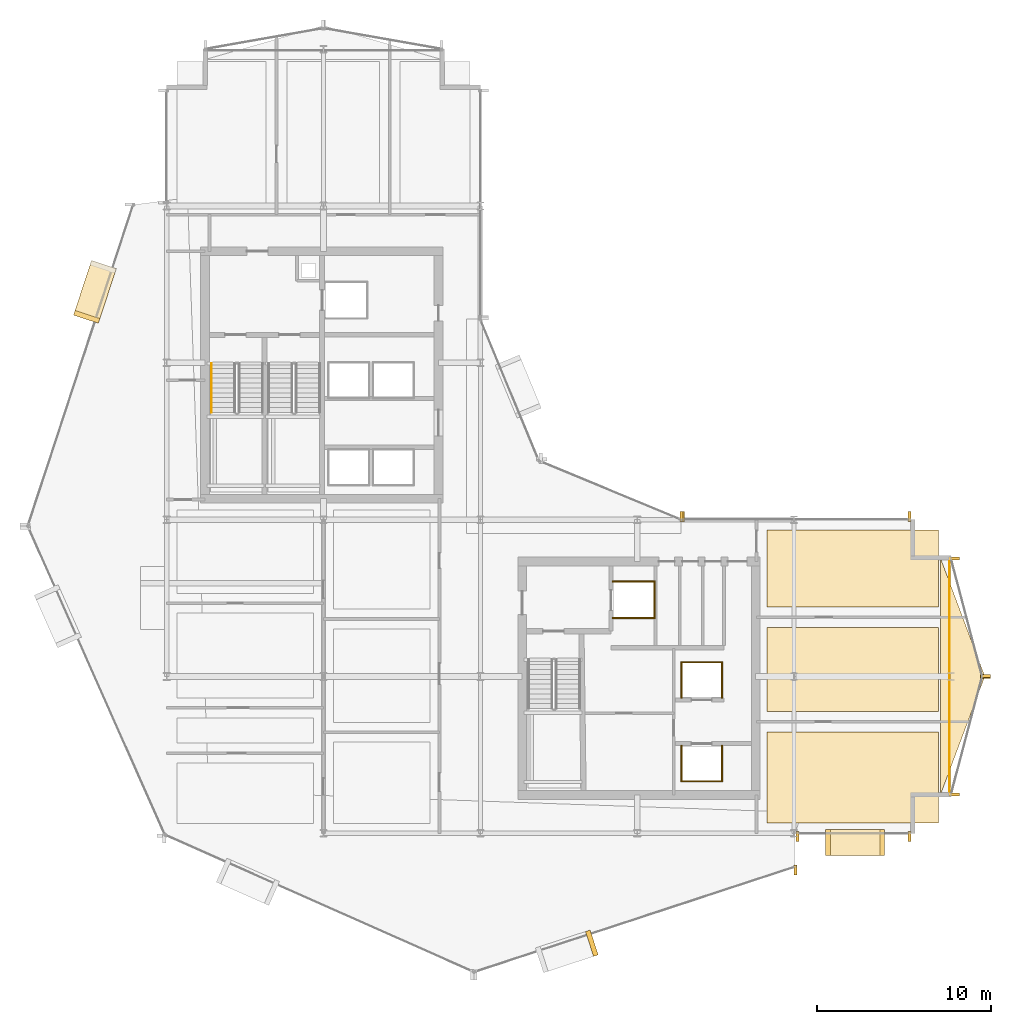
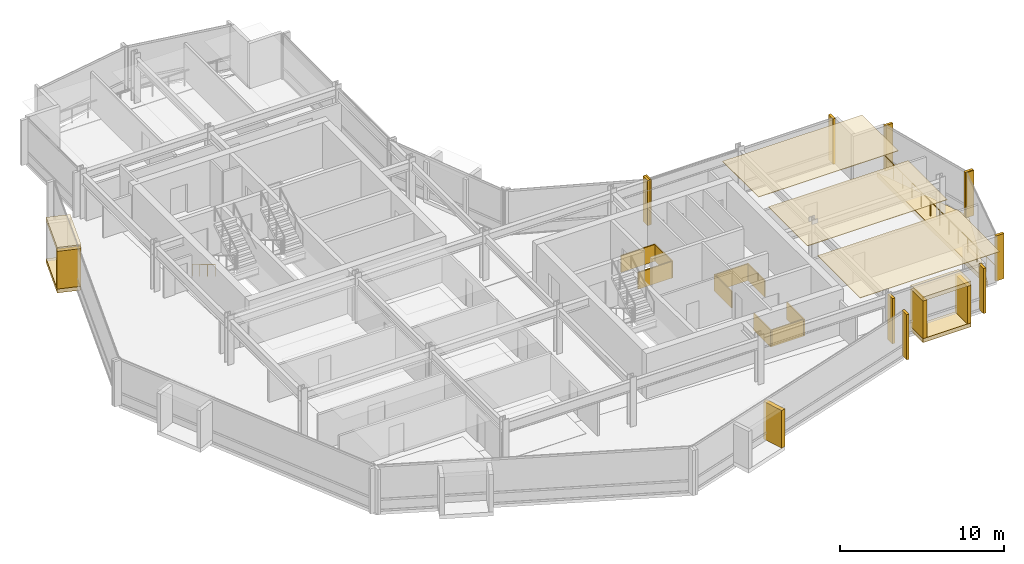
# One storey, part 28 of 29: 31 coverings, 2 railings.
"""IFC4 building model written with IfcOpenShell, lengths in metres."""

from ifc_helpers import new_model, si_unit, direction, frame, origin, origin_2d, place, context, subcontext, project, spatial, polyline, rectangle, circle, outline, extrude, material, layer, layer_set, type_object, element, save


model = new_model("IFC4")

# Units and contexts
model_context = context("Model", 3, precision=1e-05, world=origin(), true_north=direction((0.0, 1.0)))
body_context = subcontext(model_context, "Body", "Model", "MODEL_VIEW")
ifc_project = project(units=[si_unit("LENGTHUNIT", "METRE"), si_unit("AREAUNIT", "SQUARE_METRE"), si_unit("VOLUMEUNIT", "CUBIC_METRE"), si_unit("PLANEANGLEUNIT", "RADIAN"), si_unit("MASSUNIT", "GRAM", prefix="KILO")], contexts=[model_context])

# Site, building, storey
site_placement = place(None, origin())
site = spatial("IfcSite", under=ifc_project, at=site_placement, CompositionType="ELEMENT")
building_placement = place(site_placement, origin())
building = spatial("IfcBuilding", under=site, at=building_placement, Name="Solvaryn Broadcast Tower", CompositionType="ELEMENT")
storey_placement = place(building_placement, frame((0.0, 0.0, 165.5)))
storey = spatial("IfcBuildingStorey", under=building, at=storey_placement, Name="L41", CompositionType="ELEMENT", Elevation=165.5)

# Coverings
ifc_material_1 = material(Name="Micro-Perforated Acoustic Gypsum Ceiling", Category="concrete")
ifc_layer_1 = layer(ifc_material_1, 0.0400390625)
ifc_layer_set_1 = layer_set([ifc_layer_1], Name="CV-CEIL-ACOUSTIC")
covering_type_1 = type_object("IfcCoveringType", Name="CV-CEIL-ACOUSTIC", PredefinedType="CEILING", material=ifc_layer_set_1)
covering_1_placement = place(storey_placement, frame((0.0, 0.0, 3.330078125)))
element("IfcCovering", 1, at=covering_1_placement, inside=storey, type_object=covering_type_1, Name="L41 Room Acoustic Ceiling 11", PredefinedType="CEILING", context=body_context, shape_type="SweptSolid", body=[
    extrude(outline(polyline([(43.449951171875, 9.60009765625), (53.300048828125, 9.60009765625), (53.300048828125, 14.800048828125), (43.449951171875, 14.800048828125), (43.449951171875, 9.60009765625)])), origin(), (0.0, 0.0, 1.0), 0.0400390625),
])
covering_2_placement = place(storey_placement, frame((0.0, 0.0, 3.330078125)))
element("IfcCovering", 2, at=covering_2_placement, inside=storey, type_object=covering_type_1, Name="L41 Room Acoustic Ceiling 12", PredefinedType="CEILING", context=body_context, shape_type="SweptSolid", body=[
    extrude(outline(polyline([(43.449951171875, 16.0), (53.300048828125, 16.0), (53.300048828125, 20.800048828125), (43.449951171875, 20.800048828125), (43.449951171875, 16.0)])), origin(), (0.0, 0.0, 1.0), 0.0400390625),
])
covering_3_placement = place(storey_placement, frame((0.0, 0.0, 3.330078125)))
element("IfcCovering", 3, at=covering_3_placement, inside=storey, type_object=covering_type_1, Name="L41 Room Acoustic Ceiling 13", PredefinedType="CEILING", context=body_context, shape_type="SweptSolid", body=[
    extrude(outline(polyline([(43.449951171875, 22.0), (53.300048828125, 22.0), (53.300048828125, 26.39990234375), (43.449951171875, 26.39990234375), (43.449951171875, 22.0)])), origin(), (0.0, 0.0, 1.0), 0.0400390625),
])
ifc_material_2 = material(Name="Fire-Rated Gypsum Shaftwall Liner", Category="concrete")
ifc_layer_2 = layer(ifc_material_2, 0.080078125)
ifc_layer_set_2 = layer_set([ifc_layer_2], Name="CV-SHAFT-LINER")
covering_type_2 = type_object("IfcCoveringType", Name="CV-SHAFT-LINER", PredefinedType="CLADDING", material=ifc_layer_set_2)
for number, where, z_axis, x_axis, name in (
    (4, (35.800048828125, 23.43994140625, 0.0), (0.0, 0.0, 1.0), (1.0, 0.0, 0.0), "L41 FL2 Hoistway Shaft Liner North"),
    (5, (35.800048828125, 21.360107421875, 0.0), (0.0, 0.0, 1.0), (1.0, 0.0, 0.0), "L41 FL2 Hoistway Shaft Liner South"),
):
    element("IfcCovering", number, at=place(storey_placement, frame(where, z_axis=z_axis, x_axis=x_axis)), inside=storey, type_object=covering_type_2, Name=name, PredefinedType="CLADDING", context=body_context, shape_type="SweptSolid", body=[
        extrude(rectangle(XDim=2.4599609375, YDim=0.080078125, at=origin_2d()), origin(), (0.0, 0.0, 1.0), 1.25),
    ])
covering_4_placement = place(storey_placement, frame((36.989990234375, 22.39990234375, 0.0), z_axis=(0.0, 0.0, 1.0), x_axis=(1.0, 0.0, 0.0)))
element("IfcCovering", 6, at=covering_4_placement, inside=storey, type_object=covering_type_2, Name="L41 FL2 Hoistway Shaft Liner East", PredefinedType="CLADDING", context=body_context, shape_type="SweptSolid", body=[
    extrude(rectangle(XDim=0.080078125, YDim=2.159912109375, at=origin_2d()), origin(), (0.0, 0.0, 1.0), 1.25),
])
covering_5_placement = place(storey_placement, frame((39.699951171875, 11.985107421875, 0.0), z_axis=(0.0, 0.0, 1.0), x_axis=(1.0, 0.0, 0.0)))
element("IfcCovering", 7, at=covering_5_placement, inside=storey, type_object=covering_type_2, Name="L41 PM1 Hoistway Shaft Liner South", PredefinedType="CLADDING", context=body_context, shape_type="SweptSolid", body=[
    extrude(rectangle(XDim=2.409912109375, YDim=0.080078125, at=origin_2d()), origin(), (0.0, 0.0, 1.0), 1.25),
])
for number, where, z_axis, x_axis, name in (
    (8, (40.864990234375, 13.0, 0.0), (0.0, 0.0, 1.0), (1.0, 0.0, 0.0), "L41 PM1 Hoistway Shaft Liner East"),
    (9, (38.534912109375, 13.0, 0.0), (0.0, 0.0, 1.0), (1.0, 0.0, 0.0), "L41 PM1 Hoistway Shaft Liner West"),
):
    element("IfcCovering", number, at=place(storey_placement, frame(where, z_axis=z_axis, x_axis=x_axis)), inside=storey, type_object=covering_type_2, Name=name, PredefinedType="CLADDING", context=body_context, shape_type="SweptSolid", body=[
        extrude(rectangle(XDim=0.080078125, YDim=2.110107421875, at=origin_2d()), origin(), (0.0, 0.0, 1.0), 1.25),
    ])
covering_6_placement = place(storey_placement, frame((39.699951171875, 18.81494140625, 0.0), z_axis=(0.0, 0.0, 1.0), x_axis=(1.0, 0.0, 0.0)))
element("IfcCovering", 10, at=covering_6_placement, inside=storey, type_object=covering_type_2, Name="L41 PM2 Hoistway Shaft Liner North", PredefinedType="CLADDING", context=body_context, shape_type="SweptSolid", body=[
    extrude(rectangle(XDim=2.409912109375, YDim=0.080078125, at=origin_2d()), origin(), (0.0, 0.0, 1.0), 1.25),
])
for number, where, z_axis, x_axis, name in (
    (11, (40.864990234375, 17.800048828125, 0.0), (0.0, 0.0, 1.0), (1.0, 0.0, 0.0), "L41 PM2 Hoistway Shaft Liner East"),
    (12, (38.534912109375, 17.800048828125, 0.0), (0.0, 0.0, 1.0), (1.0, 0.0, 0.0), "L41 PM2 Hoistway Shaft Liner West"),
):
    element("IfcCovering", number, at=place(storey_placement, frame(where, z_axis=z_axis, x_axis=x_axis)), inside=storey, type_object=covering_type_2, Name=name, PredefinedType="CLADDING", context=body_context, shape_type="SweptSolid", body=[
        extrude(rectangle(XDim=0.080078125, YDim=2.110107421875, at=origin_2d()), origin(), (0.0, 0.0, 1.0), 1.25),
    ])
ifc_material_3 = material(Name="Glazed Architectural Terracotta Rainscreen Cladding", Category="masonry")
ifc_layer_3 = layer(ifc_material_3, 0.280029296875)
ifc_layer_set_3 = layer_set([ifc_layer_3], Name="CV-TC-CLAD")
covering_type_3 = type_object("IfcCoveringType", Name="CV-TC-CLAD", PredefinedType="CLADDING", material=ifc_layer_set_3)
for number, where, z_axis, x_axis, name in (
    (13, (4.883056640625, 40.071044921875, 3.080078125), (0.0, 0.0, 1.0), (-0.311671636848, -0.950189870912, 0.0), "L41 Projecting Stone Window Box Hood 1"),
    (14, (4.883056640625, 40.071044921875, -0.01025390625), (0.0, 0.0, 1.0), (-0.311671636848, -0.950189870912, 0.0), "L41 Projecting Stone Window Box Sill 1"),
):
    element("IfcCovering", number, at=place(storey_placement, frame(where, z_axis=z_axis, x_axis=x_axis)), inside=storey, type_object=covering_type_3, Name=name, PredefinedType="CLADDING", context=body_context, shape_type="SweptSolid", body=[
        extrude(rectangle(XDim=3.300048828125, YDim=1.5, at=origin_2d()), origin(), (0.0, 0.0, 1.0), 0.300048828125),
    ])
for number, where, z_axis, x_axis, name in (
    (15, (4.412353515625, 38.63623046875, 0.280029296875), (0.0, 0.0, 1.0), (-0.311671636848, -0.950189870912, 0.0), "L41 Projecting Stone Window Box Cheek 1-2"),
    (16, (33.396728515625, 2.693603515625, 0.280029296875), (0.0, 0.0, 1.0), (0.950189870912, 0.311671636848, 0.0), "L41 Projecting Stone Window Box Cheek 4-2"),
):
    element("IfcCovering", number, at=place(storey_placement, frame(where, z_axis=z_axis, x_axis=x_axis)), inside=storey, type_object=covering_type_3, Name=name, PredefinedType="CLADDING", context=body_context, shape_type="SweptSolid", body=[
        extrude(rectangle(XDim=0.280029296875, YDim=1.5, at=origin_2d()), origin(), (0.0, 0.0, 1.0), 2.81005859375),
    ])
for number, where, z_axis, x_axis, name in (
    (17, (48.5, 8.469970703125, 3.080078125), (0.0, 0.0, 1.0), (1.0, 0.0, 0.0), "L41 Projecting Stone Window Box Hood 6"),
    (18, (48.5, 8.469970703125, -0.01025390625), (0.0, 0.0, 1.0), (1.0, 0.0, 0.0), "L41 Projecting Stone Window Box Sill 6"),
):
    element("IfcCovering", number, at=place(storey_placement, frame(where, z_axis=z_axis, x_axis=x_axis)), inside=storey, type_object=covering_type_3, Name=name, PredefinedType="CLADDING", context=body_context, shape_type="SweptSolid", body=[
        extrude(rectangle(XDim=3.39990234375, YDim=1.5, at=origin_2d()), origin(), (0.0, 0.0, 1.0), 0.300048828125),
    ])
for number, where, z_axis, x_axis, name in (
    (19, (46.93994140625, 8.469970703125, 0.280029296875), (0.0, 0.0, 1.0), (1.0, 0.0, 0.0), "L41 Projecting Stone Window Box Cheek 6-1"),
    (20, (50.06005859375, 8.469970703125, 0.280029296875), (0.0, 0.0, 1.0), (1.0, 0.0, 0.0), "L41 Projecting Stone Window Box Cheek 6-2"),
):
    element("IfcCovering", number, at=place(storey_placement, frame(where, z_axis=z_axis, x_axis=x_axis)), inside=storey, type_object=covering_type_3, Name=name, PredefinedType="CLADDING", context=body_context, shape_type="SweptSolid", body=[
        extrude(rectangle(XDim=0.280029296875, YDim=1.5, at=origin_2d()), origin(), (0.0, 0.0, 1.0), 2.81005859375),
    ])
ifc_material_4 = material(Name="Extruded Architectural Terracotta Fin", Category="masonry")
ifc_layer_4 = layer(ifc_material_4, 0.179931640625)
ifc_layer_set_4 = layer_set([ifc_layer_4], Name="CV-TC-FIN")
covering_type_4 = type_object("IfcCoveringType", Name="CV-TC-FIN", PredefinedType="USERDEFINED", material=ifc_layer_set_4)
for number, where, z_axis, x_axis, name in (
    (21, (45.0947265625, 6.898681640625, 0.0), (0.0, 0.0, 1.0), (1.0, 0.0, 0.0), "L41 Terracotta Vertical Fin FIN-L41-DR4-M01"),
    (22, (38.541259765625, 27.177978515625, 0.0), (0.0, 0.0, 1.0), (1.0, 0.0, 0.0), "L41 Terracotta Vertical Fin FIN-L41-CN1-M00"),
    (23, (45.197021484375, 8.8125, 0.0), (0.0, 0.0, 1.0), (1.0, 0.0, 0.0), "L41 Terracotta Vertical Fin FIN-L41-S2-M00"),
    (24, (51.6201171875, 8.8125, 0.0), (0.0, 0.0, 1.0), (1.0, 0.0, 0.0), "L41 Terracotta Vertical Fin FIN-L41-S2-M01"),
):
    element("IfcCovering", number, at=place(storey_placement, frame(where, z_axis=z_axis, x_axis=x_axis)), inside=storey, type_object=covering_type_4, Name=name, ObjectType="FIN", PredefinedType="USERDEFINED", context=body_context, shape_type="SweptSolid", body=[
        extrude(rectangle(XDim=0.179931640625, YDim=0.580078125, at=origin_2d()), origin(), (0.0, 0.0, 1.0), 3.3701171875),
    ])
for number, where, z_axis, x_axis, name in (
    (25, (54.1953125, 24.77099609375, 0.0), (0.0, 0.0, 1.0), (1.0, 0.0, 0.0), "L41 Terracotta Vertical Fin FIN-L41-ET1-M00"),
    (26, (55.979736328125, 18.029052734375, 0.0), (0.0, 0.0, 1.0), (1.0, 0.0, 0.0), "L41 Terracotta Vertical Fin FIN-L41-ET1-M01"),
    (27, (55.979736328125, 17.970947265625, 0.0), (0.0, 0.0, 1.0), (1.0, 0.0, 0.0), "L41 Terracotta Vertical Fin FIN-L41-ET2-M00"),
    (28, (54.1953125, 11.22900390625, 0.0), (0.0, 0.0, 1.0), (1.0, 0.0, 0.0), "L41 Terracotta Vertical Fin FIN-L41-ET2-M01"),
):
    element("IfcCovering", number, at=place(storey_placement, frame(where, z_axis=z_axis, x_axis=x_axis)), inside=storey, type_object=covering_type_4, Name=name, ObjectType="FIN", PredefinedType="USERDEFINED", context=body_context, shape_type="SweptSolid", body=[
        extrude(rectangle(XDim=0.580078125, YDim=0.179931640625, at=origin_2d()), origin(), (0.0, 0.0, 1.0), 3.3701171875),
    ])
for number, where, z_axis, x_axis, name in (
    (29, (38.6298828125, 27.1875, 0.0), (0.0, 0.0, 1.0), (1.0, 0.0, 0.0), "L41 Terracotta Vertical Fin FIN-L41-IH-M00"),
    (30, (51.6201171875, 27.1875, 0.0), (0.0, 0.0, 1.0), (1.0, 0.0, 0.0), "L41 Terracotta Vertical Fin FIN-L41-IH-M01"),
):
    element("IfcCovering", number, at=place(storey_placement, frame(where, z_axis=z_axis, x_axis=x_axis)), inside=storey, type_object=covering_type_4, Name=name, ObjectType="FIN", PredefinedType="USERDEFINED", context=body_context, shape_type="SweptSolid", body=[
        extrude(rectangle(XDim=0.179931640625, YDim=0.580078125, at=origin_2d()), origin(), (0.0, 0.0, 1.0), 3.3701171875),
    ])
ifc_material_5 = material(Name="Sculpted Architectural Terracotta Wave Fascia", Category="masonry")
ifc_layer_5 = layer(ifc_material_5, 0.340087890625)
ifc_layer_set_5 = layer_set([ifc_layer_5], Name="CV-WAVE-TRAY")
covering_type_5 = type_object("IfcCoveringType", Name="CV-WAVE-TRAY", PredefinedType="CLADDING", material=ifc_layer_set_5)
covering_7_placement = place(storey_placement, frame((0.0, 0.0, -0.300048828125)))
element("IfcCovering", 31, at=covering_7_placement, inside=storey, type_object=covering_type_5, Name="L41 East Curved Wing Deck", PredefinedType="CLADDING", context=body_context, shape_type="SweptSolid", body=[
    extrude(outline(polyline([(53.39990234375, 11.199951171875), (55.949951171875, 18.0), (53.39990234375, 24.800048828125), (53.39990234375, 11.199951171875)])), origin(), (0.0, 0.0, 1.0), 0.330078125),
])

# Railings
ifc_material_6 = material(Name="Brushed Stainless Steel Tubular Handrail", Category="steel")
railing_type_1 = type_object("IfcRailingType", Name="RL-STAIR-HANDRAIL", PredefinedType="HANDRAIL", material=ifc_material_6)
railing_1_placement = place(storey_placement, frame((11.570068359375, 35.9599609375, 0.168212890625)))
element("IfcRailing", 32, at=railing_1_placement, inside=storey, type_object=railing_type_1, Name="L41 ST1 stair handrail 1", PredefinedType="HANDRAIL", context=body_context, shape_type="SweptSolid", body=[
    extrude(circle(Radius=0.02392578125, at=origin_2d()), frame((0.0, 0.0, 0.8759765625), z_axis=(0.0, -0.857242210791, 0.514913383045), x_axis=(1.0, 0.0, 0.0)), (0.0, 0.0, 1.0), 3.266357421875),
    extrude(circle(Radius=0.02099609375, at=origin_2d()), origin(), (0.0, 0.0, 1.0), 0.851806640625),
    extrude(circle(Radius=0.02099609375, at=origin_2d()), frame((0.0, -0.933349609375, 0.560546875)), (0.0, 0.0, 1.0), 0.851806640625),
    extrude(circle(Radius=0.02099609375, at=origin_2d()), frame((0.0, -1.86669921875, 1.121337890625)), (0.0, 0.0, 1.0), 0.851806640625),
    extrude(circle(Radius=0.02099609375, at=origin_2d()), frame((0.0, -2.800048828125, 1.681884765625)), (0.0, 0.0, 1.0), 0.851806640625),
])
ifc_material_7 = material(Name="Stainless Steel and Laminated Glass Guard", Category="steel")
railing_type_2 = type_object("IfcRailingType", Name="RL-TER-1150", PredefinedType="BALUSTRADE", material=ifc_material_7)
railing_2_placement = place(storey_placement, frame((53.919921875, 11.199951171875, 0.0)))
element("IfcRailing", 33, at=railing_2_placement, inside=storey, type_object=railing_type_2, Name="L41 East Wing Spandrel Edge Guard", PredefinedType="BALUSTRADE", context=body_context, shape_type="SweptSolid", body=[
    extrude(circle(Radius=0.02392578125, at=origin_2d()), frame((0.0, 0.0, 1.1259765625), z_axis=(0.0, 1.0, 0.0), x_axis=(-1.0, 0.0, 0.0)), (0.0, 0.0, 1.0), 13.60009765625),
    extrude(circle(Radius=0.02099609375, at=origin_2d()), origin(), (0.0, 0.0, 1.0), 1.101806640625),
    extrude(circle(Radius=0.02099609375, at=origin_2d()), frame((0.0, 1.13330078125, 0.0)), (0.0, 0.0, 1.0), 1.101806640625),
    extrude(circle(Radius=0.02099609375, at=origin_2d()), frame((0.0, 2.2666015625, 0.0)), (0.0, 0.0, 1.0), 1.101806640625),
    extrude(circle(Radius=0.02099609375, at=origin_2d()), frame((0.0, 3.39990234375, 0.0)), (0.0, 0.0, 1.0), 1.101806640625),
    extrude(circle(Radius=0.02099609375, at=origin_2d()), frame((0.0, 4.533447265625, 0.0)), (0.0, 0.0, 1.0), 1.101806640625),
    extrude(circle(Radius=0.02099609375, at=origin_2d()), frame((0.0, 5.666748046875, 0.0)), (0.0, 0.0, 1.0), 1.101806640625),
    extrude(circle(Radius=0.02099609375, at=origin_2d()), frame((0.0, 6.800048828125, 0.0)), (0.0, 0.0, 1.0), 1.101806640625),
    extrude(circle(Radius=0.02099609375, at=origin_2d()), frame((0.0, 7.933349609375, 0.0)), (0.0, 0.0, 1.0), 1.101806640625),
    extrude(circle(Radius=0.02099609375, at=origin_2d()), frame((0.0, 9.066650390625, 0.0)), (0.0, 0.0, 1.0), 1.101806640625),
    extrude(circle(Radius=0.02099609375, at=origin_2d()), frame((0.0, 10.2001953125, 0.0)), (0.0, 0.0, 1.0), 1.101806640625),
    extrude(circle(Radius=0.02099609375, at=origin_2d()), frame((0.0, 11.33349609375, 0.0)), (0.0, 0.0, 1.0), 1.101806640625),
    extrude(circle(Radius=0.02099609375, at=origin_2d()), frame((0.0, 12.466796875, 0.0)), (0.0, 0.0, 1.0), 1.101806640625),
    extrude(circle(Radius=0.02099609375, at=origin_2d()), frame((0.0, 13.60009765625, 0.0)), (0.0, 0.0, 1.0), 1.101806640625),
])

save(model, "model.ifc")
